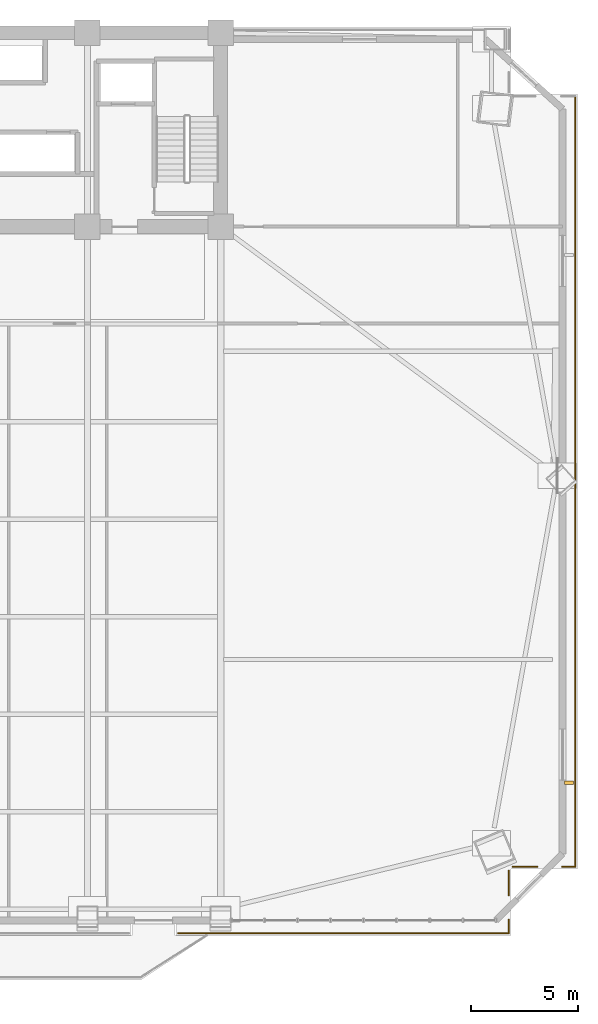
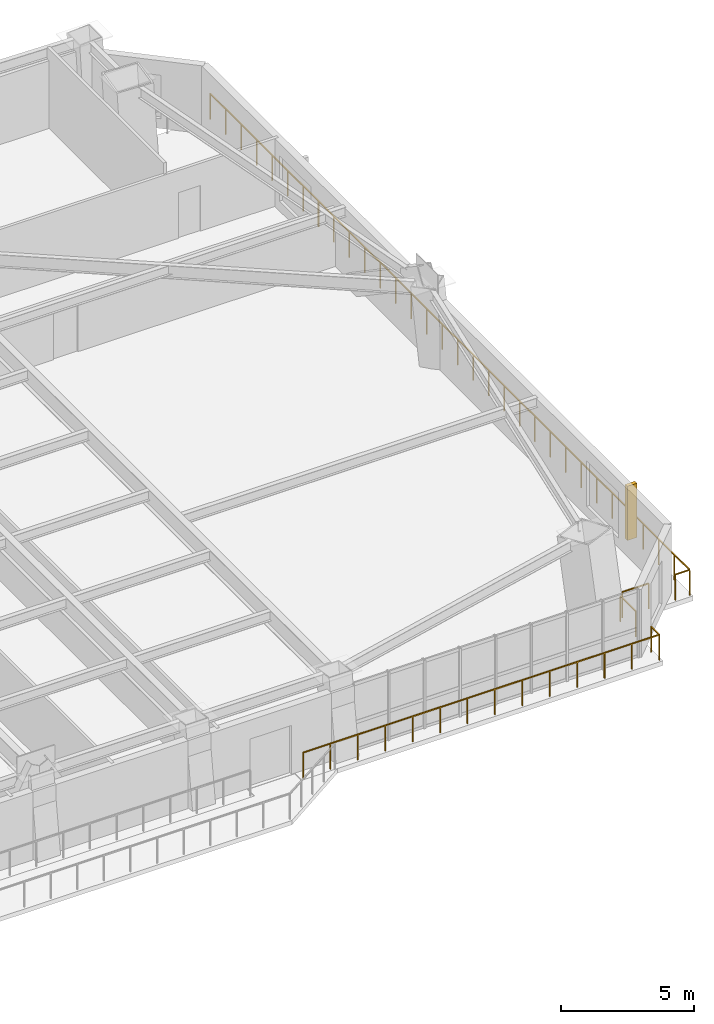
# One storey, part 15 of 18: 6 railings, 1 shading device.
"""IFC4 building model written with IfcOpenShell, lengths in metres."""

from ifc_helpers import new_model, si_unit, direction, frame, origin, origin_2d, place, context, subcontext, project, spatial, rectangle, extrude, source, transform, mapped, material, type_object, element, save


model = new_model("IFC4")

# Units and contexts
model_context = context("Model", 3, precision=1e-05, world=origin(), true_north=direction((0.0, 1.0)))
body_context = subcontext(model_context, "Body", "Model", "MODEL_VIEW")
ifc_project = project(units=[si_unit("LENGTHUNIT", "METRE"), si_unit("AREAUNIT", "SQUARE_METRE"), si_unit("VOLUMEUNIT", "CUBIC_METRE"), si_unit("PLANEANGLEUNIT", "RADIAN"), si_unit("MASSUNIT", "GRAM", prefix="KILO")], contexts=[model_context])

# Site, building, storey
site_placement = place(None, origin())
site = spatial("IfcSite", under=ifc_project, at=site_placement, CompositionType="ELEMENT")
building_placement = place(site_placement, origin())
building = spatial("IfcBuilding", under=site, at=building_placement, Name="Giltprow Tower", CompositionType="ELEMENT")
storey_placement = place(building_placement, frame((0.0, 0.0, 68.89990234375)))
storey = spatial("IfcBuildingStorey", under=building, at=storey_placement, Name="L17", CompositionType="ELEMENT", Elevation=68.89990234375)

# Railings
ifc_material = material(Name="Anodized bronze", Category="metal")
railing_type = type_object("IfcRailingType", Name="RAIL-BALC-GUARD-1200", PredefinedType="BALUSTRADE", material=ifc_material)
railing_1_placement = place(storey_placement, frame((67.196044921875, 43.577880859375, 0.0)))
element("IfcRailing", 1, at=railing_1_placement, inside=storey, type_object=railing_type, Name="L17 Corner Apron Edge Balustrade 16", PredefinedType="BALUSTRADE", context=body_context, shape_type="SweptSolid", body=[
    extrude(rectangle(XDim=0.048095703125, YDim=0.048095703125, at=origin_2d()), frame((0.0, 0.0, 1.17578125), z_axis=(0.0, -1.0, 0.0), x_axis=(1.0, 0.0, 0.0)), (0.0, 0.0, 1.0), 36.173828125),
    extrude(rectangle(XDim=0.0419921875, YDim=0.0419921875, at=origin_2d()), origin(), (0.0, 0.0, 1.0), 1.15185546875),
    extrude(rectangle(XDim=0.0419921875, YDim=0.0419921875, at=origin_2d()), frame((0.0, -1.1669921875, 0.0)), (0.0, 0.0, 1.0), 1.15185546875),
    extrude(rectangle(XDim=0.0419921875, YDim=0.0419921875, at=origin_2d()), frame((0.0, -2.333740234375, 0.0)), (0.0, 0.0, 1.0), 1.15185546875),
    extrude(rectangle(XDim=0.0419921875, YDim=0.0419921875, at=origin_2d()), frame((0.0, -3.500732421875, 0.0)), (0.0, 0.0, 1.0), 1.15185546875),
    extrude(rectangle(XDim=0.0419921875, YDim=0.0419921875, at=origin_2d()), frame((0.0, -4.66748046875, 0.0)), (0.0, 0.0, 1.0), 1.15185546875),
    extrude(rectangle(XDim=0.0419921875, YDim=0.0419921875, at=origin_2d()), frame((0.0, -5.83447265625, 0.0)), (0.0, 0.0, 1.0), 1.15185546875),
    extrude(rectangle(XDim=0.0419921875, YDim=0.0419921875, at=origin_2d()), frame((0.0, -7.00146484375, 0.0)), (0.0, 0.0, 1.0), 1.15185546875),
    extrude(rectangle(XDim=0.0419921875, YDim=0.0419921875, at=origin_2d()), frame((0.0, -8.168212890625, 0.0)), (0.0, 0.0, 1.0), 1.15185546875),
    extrude(rectangle(XDim=0.0419921875, YDim=0.0419921875, at=origin_2d()), frame((0.0, -9.335205078125, 0.0)), (0.0, 0.0, 1.0), 1.15185546875),
    extrude(rectangle(XDim=0.0419921875, YDim=0.0419921875, at=origin_2d()), frame((0.0, -10.502197265625, 0.0)), (0.0, 0.0, 1.0), 1.15185546875),
    extrude(rectangle(XDim=0.0419921875, YDim=0.0419921875, at=origin_2d()), frame((0.0, -11.6689453125, 0.0)), (0.0, 0.0, 1.0), 1.15185546875),
    extrude(rectangle(XDim=0.0419921875, YDim=0.0419921875, at=origin_2d()), frame((0.0, -12.8359375, 0.0)), (0.0, 0.0, 1.0), 1.15185546875),
    extrude(rectangle(XDim=0.0419921875, YDim=0.0419921875, at=origin_2d()), frame((0.0, -14.002685546875, 0.0)), (0.0, 0.0, 1.0), 1.15185546875),
    extrude(rectangle(XDim=0.0419921875, YDim=0.0419921875, at=origin_2d()), frame((0.0, -15.169677734375, 0.0)), (0.0, 0.0, 1.0), 1.15185546875),
    extrude(rectangle(XDim=0.0419921875, YDim=0.0419921875, at=origin_2d()), frame((0.0, -16.336669921875, 0.0)), (0.0, 0.0, 1.0), 1.15185546875),
    extrude(rectangle(XDim=0.0419921875, YDim=0.0419921875, at=origin_2d()), frame((0.0, -17.50341796875, 0.0)), (0.0, 0.0, 1.0), 1.15185546875),
    extrude(rectangle(XDim=0.0419921875, YDim=0.0419921875, at=origin_2d()), frame((0.0, -18.67041015625, 0.0)), (0.0, 0.0, 1.0), 1.15185546875),
    extrude(rectangle(XDim=0.0419921875, YDim=0.0419921875, at=origin_2d()), frame((0.0, -19.837158203125, 0.0)), (0.0, 0.0, 1.0), 1.15185546875),
    extrude(rectangle(XDim=0.0419921875, YDim=0.0419921875, at=origin_2d()), frame((0.0, -21.004150390625, 0.0)), (0.0, 0.0, 1.0), 1.15185546875),
    extrude(rectangle(XDim=0.0419921875, YDim=0.0419921875, at=origin_2d()), frame((0.0, -22.171142578125, 0.0)), (0.0, 0.0, 1.0), 1.15185546875),
    extrude(rectangle(XDim=0.0419921875, YDim=0.0419921875, at=origin_2d()), frame((0.0, -23.337890625, 0.0)), (0.0, 0.0, 1.0), 1.15185546875),
    extrude(rectangle(XDim=0.0419921875, YDim=0.0419921875, at=origin_2d()), frame((0.0, -24.5048828125, 0.0)), (0.0, 0.0, 1.0), 1.15185546875),
    extrude(rectangle(XDim=0.0419921875, YDim=0.0419921875, at=origin_2d()), frame((0.0, -25.671630859375, 0.0)), (0.0, 0.0, 1.0), 1.15185546875),
    extrude(rectangle(XDim=0.0419921875, YDim=0.0419921875, at=origin_2d()), frame((0.0, -26.838623046875, 0.0)), (0.0, 0.0, 1.0), 1.15185546875),
    extrude(rectangle(XDim=0.0419921875, YDim=0.0419921875, at=origin_2d()), frame((0.0, -28.005615234375, 0.0)), (0.0, 0.0, 1.0), 1.15185546875),
    extrude(rectangle(XDim=0.0419921875, YDim=0.0419921875, at=origin_2d()), frame((0.0, -29.17236328125, 0.0)), (0.0, 0.0, 1.0), 1.15185546875),
    extrude(rectangle(XDim=0.0419921875, YDim=0.0419921875, at=origin_2d()), frame((0.0, -30.33935546875, 0.0)), (0.0, 0.0, 1.0), 1.15185546875),
    extrude(rectangle(XDim=0.0419921875, YDim=0.0419921875, at=origin_2d()), frame((0.0, -31.50634765625, 0.0)), (0.0, 0.0, 1.0), 1.15185546875),
    extrude(rectangle(XDim=0.0419921875, YDim=0.0419921875, at=origin_2d()), frame((0.0, -32.673095703125, 0.0)), (0.0, 0.0, 1.0), 1.15185546875),
    extrude(rectangle(XDim=0.0419921875, YDim=0.0419921875, at=origin_2d()), frame((0.0, -33.840087890625, 0.0)), (0.0, 0.0, 1.0), 1.15185546875),
    extrude(rectangle(XDim=0.0419921875, YDim=0.0419921875, at=origin_2d()), frame((0.0, -35.0068359375, 0.0)), (0.0, 0.0, 1.0), 1.15185546875),
    extrude(rectangle(XDim=0.0419921875, YDim=0.0419921875, at=origin_2d()), frame((0.0, -36.173828125, 0.0)), (0.0, 0.0, 1.0), 1.15185546875),
])
railing_2_placement = place(storey_placement, frame((67.196044921875, 7.404052734375, 0.0)))
element("IfcRailing", 2, at=railing_2_placement, inside=storey, type_object=railing_type, Name="L17 Corner Apron Edge Balustrade 17", PredefinedType="BALUSTRADE", context=body_context, shape_type="SweptSolid", body=[
    extrude(rectangle(XDim=0.048095703125, YDim=0.048095703125, at=origin_2d()), frame((0.0, 0.0, 1.17578125), z_axis=(-1.0, 0.0, 0.0), x_axis=(0.0, -1.0, 0.0)), (0.0, 0.0, 1.0), 0.6201171875),
    extrude(rectangle(XDim=0.0419921875, YDim=0.0419921875, at=origin_2d()), origin(), (0.0, 0.0, 1.0), 1.15185546875),
    extrude(rectangle(XDim=0.0419921875, YDim=0.0419921875, at=origin_2d()), frame((-0.6201171875, 0.0, 0.0)), (0.0, 0.0, 1.0), 1.15185546875),
])
railing_3_placement = place(storey_placement, frame((65.416015625, 7.404052734375, 0.0)))
element("IfcRailing", 3, at=railing_3_placement, inside=storey, type_object=railing_type, Name="L17 Corner Apron Edge Balustrade 18", PredefinedType="BALUSTRADE", context=body_context, shape_type="SweptSolid", body=[
    extrude(rectangle(XDim=0.048095703125, YDim=0.048095703125, at=origin_2d()), frame((0.0, 0.0, 1.17578125), z_axis=(-1.0, 0.0, 0.0), x_axis=(0.0, -1.0, 0.0)), (0.0, 0.0, 1.0), 1.156982421875),
    extrude(rectangle(XDim=0.0419921875, YDim=0.0419921875, at=origin_2d()), origin(), (0.0, 0.0, 1.0), 1.15185546875),
    extrude(rectangle(XDim=0.0419921875, YDim=0.0419921875, at=origin_2d()), frame((-1.156982421875, 0.0, 0.0)), (0.0, 0.0, 1.0), 1.15185546875),
])
railing_4_placement = place(storey_placement, frame((64.073974609375, 7.218994140625, 0.0)))
element("IfcRailing", 4, at=railing_4_placement, inside=storey, type_object=railing_type, Name="L17 Corner Apron Edge Balustrade 19", PredefinedType="BALUSTRADE", context=body_context, shape_type="SweptSolid", body=[
    extrude(rectangle(XDim=0.048095703125, YDim=0.048095703125, at=origin_2d()), frame((0.0, 0.0, 1.17578125), z_axis=(0.0, -1.0, 0.0), x_axis=(1.0, 0.0, 0.0)), (0.0, 0.0, 1.0), 1.156982421875),
    extrude(rectangle(XDim=0.0419921875, YDim=0.0419921875, at=origin_2d()), origin(), (0.0, 0.0, 1.0), 1.15185546875),
    extrude(rectangle(XDim=0.0419921875, YDim=0.0419921875, at=origin_2d()), frame((0.0, -1.156982421875, 0.0)), (0.0, 0.0, 1.0), 1.15185546875),
])
railing_5_placement = place(storey_placement, frame((64.073974609375, 4.902099609375, 0.0)))
element("IfcRailing", 5, at=railing_5_placement, inside=storey, type_object=railing_type, Name="L17 Corner Apron Edge Balustrade 20", PredefinedType="BALUSTRADE", context=body_context, shape_type="SweptSolid", body=[
    extrude(rectangle(XDim=0.048095703125, YDim=0.048095703125, at=origin_2d()), frame((0.0, 0.0, 1.17578125), z_axis=(0.0, -1.0, 0.0), x_axis=(1.0, 0.0, 0.0)), (0.0, 0.0, 1.0), 0.6201171875),
    extrude(rectangle(XDim=0.0419921875, YDim=0.0419921875, at=origin_2d()), origin(), (0.0, 0.0, 1.0), 1.15185546875),
    extrude(rectangle(XDim=0.0419921875, YDim=0.0419921875, at=origin_2d()), frame((0.0, -0.6201171875, 0.0)), (0.0, 0.0, 1.0), 1.15185546875),
])
railing_6_placement = place(storey_placement, frame((64.073974609375, 4.281982421875, 0.0)))
element("IfcRailing", 6, at=railing_6_placement, inside=storey, type_object=railing_type, Name="L17 Corner Apron Edge Balustrade 21", PredefinedType="BALUSTRADE", context=body_context, shape_type="SweptSolid", body=[
    extrude(rectangle(XDim=0.048095703125, YDim=0.048095703125, at=origin_2d()), frame((0.0, 0.0, 1.17578125), z_axis=(-1.0, 0.0, 0.0), x_axis=(0.0, -1.0, 0.0)), (0.0, 0.0, 1.0), 15.52392578125),
    extrude(rectangle(XDim=0.0419921875, YDim=0.0419921875, at=origin_2d()), origin(), (0.0, 0.0, 1.0), 1.15185546875),
    extrude(rectangle(XDim=0.0419921875, YDim=0.0419921875, at=origin_2d()), frame((-1.194091796875, 0.0, 0.0)), (0.0, 0.0, 1.0), 1.15185546875),
    extrude(rectangle(XDim=0.0419921875, YDim=0.0419921875, at=origin_2d()), frame((-2.38818359375, 0.0, 0.0)), (0.0, 0.0, 1.0), 1.15185546875),
    extrude(rectangle(XDim=0.0419921875, YDim=0.0419921875, at=origin_2d()), frame((-3.58251953125, 0.0, 0.0)), (0.0, 0.0, 1.0), 1.15185546875),
    extrude(rectangle(XDim=0.0419921875, YDim=0.0419921875, at=origin_2d()), frame((-4.776611328125, 0.0, 0.0)), (0.0, 0.0, 1.0), 1.15185546875),
    extrude(rectangle(XDim=0.0419921875, YDim=0.0419921875, at=origin_2d()), frame((-5.970703125, 0.0, 0.0)), (0.0, 0.0, 1.0), 1.15185546875),
    extrude(rectangle(XDim=0.0419921875, YDim=0.0419921875, at=origin_2d()), frame((-7.164794921875, 0.0, 0.0)), (0.0, 0.0, 1.0), 1.15185546875),
    extrude(rectangle(XDim=0.0419921875, YDim=0.0419921875, at=origin_2d()), frame((-8.359130859375, 0.0, 0.0)), (0.0, 0.0, 1.0), 1.15185546875),
    extrude(rectangle(XDim=0.0419921875, YDim=0.0419921875, at=origin_2d()), frame((-9.55322265625, 0.0, 0.0)), (0.0, 0.0, 1.0), 1.15185546875),
    extrude(rectangle(XDim=0.0419921875, YDim=0.0419921875, at=origin_2d()), frame((-10.747314453125, 0.0, 0.0)), (0.0, 0.0, 1.0), 1.15185546875),
    extrude(rectangle(XDim=0.0419921875, YDim=0.0419921875, at=origin_2d()), frame((-11.94140625, 0.0, 0.0)), (0.0, 0.0, 1.0), 1.15185546875),
    extrude(rectangle(XDim=0.0419921875, YDim=0.0419921875, at=origin_2d()), frame((-13.1357421875, 0.0, 0.0)), (0.0, 0.0, 1.0), 1.15185546875),
    extrude(rectangle(XDim=0.0419921875, YDim=0.0419921875, at=origin_2d()), frame((-14.329833984375, 0.0, 0.0)), (0.0, 0.0, 1.0), 1.15185546875),
    extrude(rectangle(XDim=0.0419921875, YDim=0.0419921875, at=origin_2d()), frame((-15.52392578125, 0.0, 0.0)), (0.0, 0.0, 1.0), 1.15185546875),
])

# Shading device
shading_device_type = type_object("IfcShadingDeviceType", Name="SHD-FIN-420", PredefinedType="USERDEFINED", material=ifc_material)
shared_shape = source(origin(), body_context, "Body", "SweptSolid", [
    extrude(rectangle(XDim=0.419921875, YDim=0.159912109375, at=origin_2d()), origin(), (0.0, 0.0, 1.0), 2.5),
])
shading_device_placement = place(storey_placement, frame((66.916015625, 11.341064453125, 0.35009765625), z_axis=(0.0, 0.0, 1.0), x_axis=(1.0, 0.0, 0.0)))
element("IfcShadingDevice", 7, at=shading_device_placement, inside=storey, type_object=shading_device_type, Name="L17 E Bronze Vertical Fin 1-1", ObjectType="FIN", PredefinedType="USERDEFINED", context=body_context, shape_type="MappedRepresentation", body=[
    mapped(shared_shape, transform((0.0, 0.0, 0.0), x_axis=(1.0, 0.0, 0.0), y_axis=(0.0, 1.0, 0.0), z_axis=(0.0, 0.0, 1.0), scale=1.0)),
])

save(model, "model.ifc")
